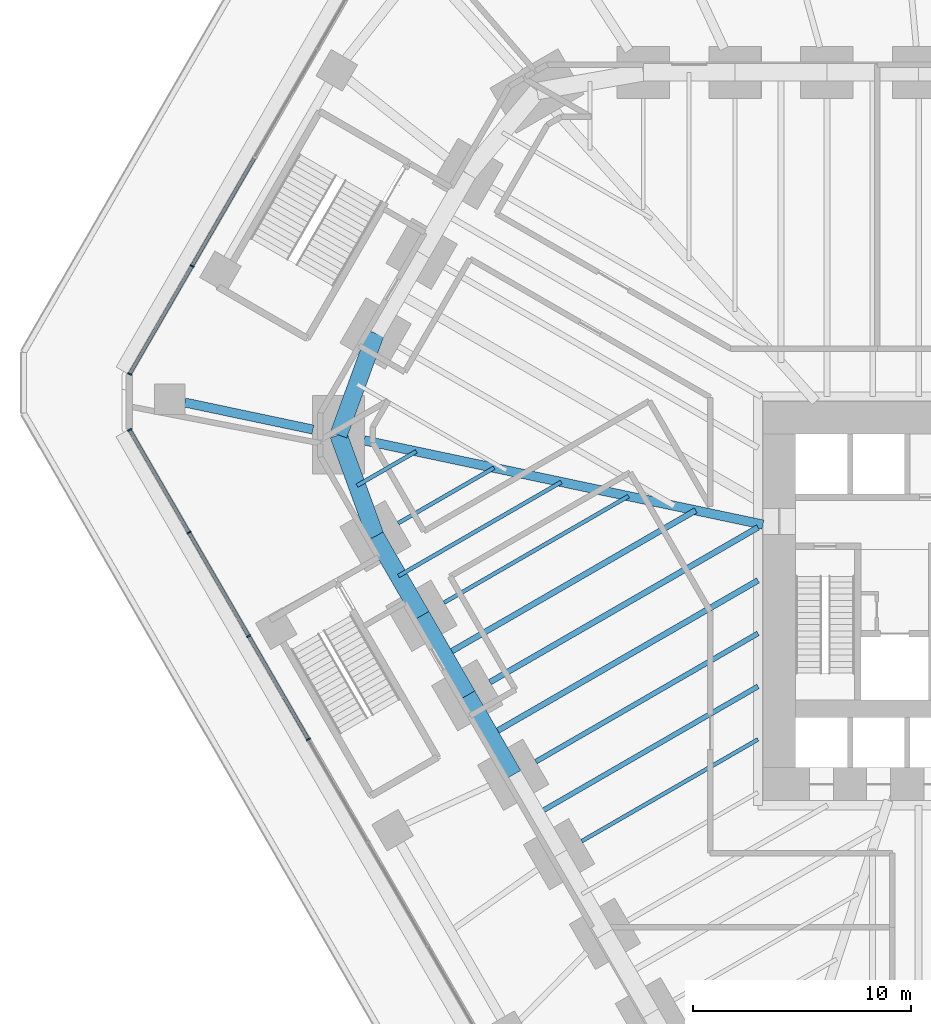
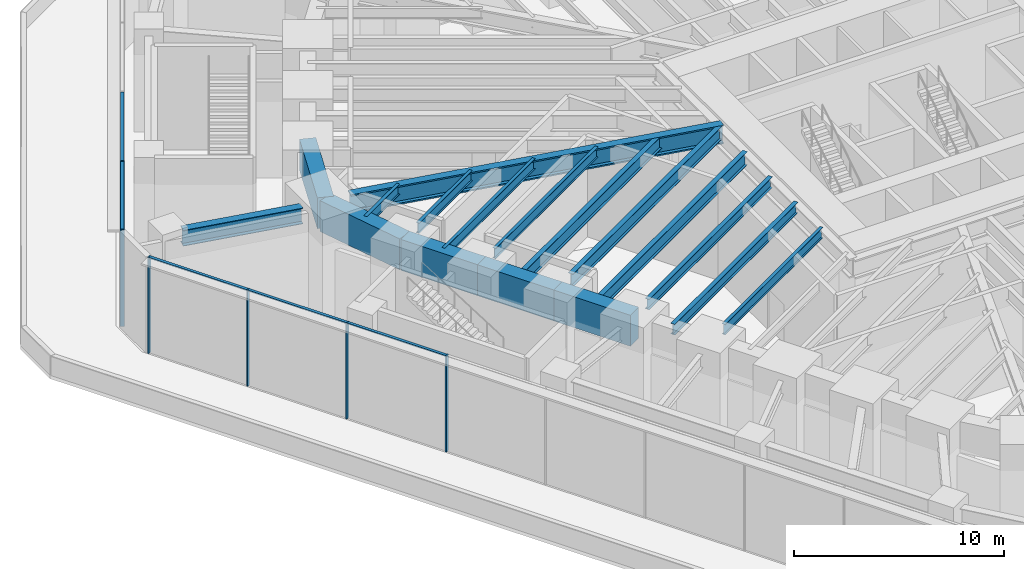
# One storey, part 5 of 24: 17 beams, 11 members, 2 elements without a shape of their own.
"""IFC4 building model written with IfcOpenShell, lengths in metres."""

from ifc_helpers import new_model, si_unit, direction, frame, origin, origin_2d, place, context, subcontext, project, spatial, rectangle, i_section, extrude, material, material_profile, profile_set, type_object, element, aggregate, save


model = new_model("IFC4")

# Units and contexts
model_context = context("Model", 3, precision=1e-05, world=origin(), true_north=direction((0.0, 1.0)))
body_context = subcontext(model_context, "Body", "Model", "MODEL_VIEW")
ifc_project = project(units=[si_unit("LENGTHUNIT", "METRE"), si_unit("AREAUNIT", "SQUARE_METRE"), si_unit("VOLUMEUNIT", "CUBIC_METRE"), si_unit("PLANEANGLEUNIT", "RADIAN"), si_unit("MASSUNIT", "GRAM", prefix="KILO")], contexts=[model_context])

# Site, building, storey
site_placement = place(None, origin())
site = spatial("IfcSite", under=ifc_project, at=site_placement, CompositionType="ELEMENT")
building_placement = place(site_placement, origin())
building = spatial("IfcBuilding", under=site, at=building_placement, Name="Sandreach Pilgrim Tower", CompositionType="ELEMENT")
storey_placement = place(building_placement, frame((0.0, 0.0, 12.0)))
storey = spatial("IfcBuildingStorey", under=building, at=storey_placement, Name="L02", CompositionType="ELEMENT", Elevation=12.0)

# Curtain wall, members
ifc_material_1 = material(Name="Aluminium framed curtain wall", Category="aluminium")
curtain_wall_type = type_object("IfcCurtainWallType", Name="Podium storefront curtain wall", PredefinedType="NOTDEFINED", material=ifc_material_1)
curtain_wall_1_placement = place(storey_placement, origin())
curtain_wall_1 = element("IfcCurtainWall", 1, at=curtain_wall_1_placement, inside=storey, type_object=curtain_wall_type, Name="CW-P L02 SW", PredefinedType="NOTDEFINED")
ifc_material_2 = material(Name="Aluminium extrusion", Category="aluminium")
ifc_material_profile_1 = material_profile(ifc_material_2, rectangle(XDim=0.070068359375, YDim=0.199951171875, at=origin_2d()), Name="CW-PM 70X200")
ifc_profile_set_1 = profile_set([ifc_material_profile_1], Name="Aluminium extrusion")
member_type_1 = type_object("IfcMemberType", Name="CW-P mullion", PredefinedType="MULLION", material=ifc_profile_set_1)
member_1_placement = place(storey_placement, frame((-30.095703125, -7.894287109375, 0.0), z_axis=(0.0, 0.0, 1.0), x_axis=(-0.5, 0.866025403784, 0.0)))
member_1 = element("IfcMember", 2, at=member_1_placement, type_object=member_type_1, Name="CW-P mullion 7", PredefinedType="MULLION", context=body_context, shape_type="SweptSolid", body=[
    extrude(rectangle(XDim=0.070068359375, YDim=0.199951171875, at=origin_2d()), origin(), (0.0, 0.0, 1.0), 5.60009765625),
])
member_2_placement = place(storey_placement, frame((-32.832763671875, -3.153564453125, 0.0), z_axis=(0.0, 0.0, 1.0), x_axis=(-0.5, 0.866025403784, 0.0)))
member_2 = element("IfcMember", 3, at=member_2_placement, type_object=member_type_1, Name="CW-P mullion 8", PredefinedType="MULLION", context=body_context, shape_type="SweptSolid", body=[
    extrude(rectangle(XDim=0.070068359375, YDim=0.199951171875, at=origin_2d()), origin(), (0.0, 0.0, 1.0), 5.60009765625),
])
member_3_placement = place(storey_placement, frame((-35.56982421875, 1.5869140625, 0.0), z_axis=(0.0, 0.0, 1.0), x_axis=(-0.5, 0.866025403784, 0.0)))
member_3 = element("IfcMember", 4, at=member_3_placement, type_object=member_type_1, Name="CW-P mullion 9", PredefinedType="MULLION", context=body_context, shape_type="SweptSolid", body=[
    extrude(rectangle(XDim=0.070068359375, YDim=0.199951171875, at=origin_2d()), origin(), (0.0, 0.0, 1.0), 5.60009765625),
])
member_4_placement = place(storey_placement, frame((-38.289306640625, 6.29736328125, 0.0), z_axis=(0.0, 0.0, 1.0), x_axis=(-0.5, 0.866025403784, 0.0)))
member_4 = element("IfcMember", 5, at=member_4_placement, type_object=member_type_1, Name="CW-P mullion 10", PredefinedType="MULLION", context=body_context, shape_type="SweptSolid", body=[
    extrude(rectangle(XDim=0.070068359375, YDim=0.199951171875, at=origin_2d()), origin(), (0.0, 0.0, 1.0), 5.60009765625),
])

curtain_wall_2_placement = place(storey_placement, origin())
curtain_wall_2 = element("IfcCurtainWall", 6, at=curtain_wall_2_placement, inside=storey, type_object=curtain_wall_type, Name="CW-P L02 NW", PredefinedType="NOTDEFINED")
member_5_placement = place(storey_placement, frame((-38.289306640625, 8.858154296875, 0.0), z_axis=(0.0, 0.0, 1.0), x_axis=(0.5, 0.866025403784, 0.0)))
member_5 = element("IfcMember", 7, at=member_5_placement, type_object=member_type_1, Name="CW-P mullion 1", PredefinedType="MULLION", context=body_context, shape_type="SweptSolid", body=[
    extrude(rectangle(XDim=0.070068359375, YDim=0.199951171875, at=origin_2d()), origin(), (0.0, 0.0, 1.0), 5.60009765625),
])
member_6_placement = place(storey_placement, frame((-35.4296875, 13.81103515625, 0.0), z_axis=(0.0, 0.0, 1.0), x_axis=(0.5, 0.866025403784, 0.0)))
member_6 = element("IfcMember", 8, at=member_6_placement, type_object=member_type_1, Name="CW-P mullion 2", PredefinedType="MULLION", context=body_context, shape_type="SweptSolid", body=[
    extrude(rectangle(XDim=0.070068359375, YDim=0.199951171875, at=origin_2d()), origin(), (0.0, 0.0, 1.0), 5.60009765625),
])

# Member
ifc_material_3 = material(Name="Aluminium extrusion", Category="aluminium")
ifc_material_profile_2 = material_profile(ifc_material_3, rectangle(XDim=0.159912109375, YDim=0.070068359375, at=origin_2d()), Name="CW-PT 160X70")
ifc_profile_set_2 = profile_set([ifc_material_profile_2], Name="Aluminium extrusion")
member_type_2 = type_object("IfcMemberType", Name="CW-P transom", PredefinedType="USERDEFINED", material=ifc_profile_set_2)
member_7_placement = place(storey_placement, frame((-30.11328125, -7.864013671875, 5.56494140625), z_axis=(-0.500026181004, 0.866010287647, 0.0), x_axis=(-0.866010287647, -0.500026181004, 0.0)))
member_7 = element("IfcMember", 9, at=member_7_placement, type_object=member_type_2, Name="CW-P head transom 7", ObjectType="TRANSOM", PredefinedType="USERDEFINED", context=body_context, shape_type="SweptSolid", body=[
    extrude(rectangle(XDim=0.159912109375, YDim=0.070068359375, at=origin_2d()), origin(), (0.0, 0.0, 1.0), 5.404052734375),
])

member_8_placement = place(storey_placement, frame((-32.850341796875, -3.123291015625, 5.56494140625), z_axis=(-0.499992297805, 0.866029850603, 0.0), x_axis=(-0.866029850603, -0.499992297805, 0.0)))
member_8 = element("IfcMember", 10, at=member_8_placement, type_object=member_type_2, Name="CW-P head transom 8", ObjectType="TRANSOM", PredefinedType="USERDEFINED", context=body_context, shape_type="SweptSolid", body=[
    extrude(rectangle(XDim=0.159912109375, YDim=0.070068359375, at=origin_2d()), origin(), (0.0, 0.0, 1.0), 5.40380859375),
])

member_9_placement = place(storey_placement, frame((-35.58740234375, 1.617431640625, 5.56494140625), z_axis=(-0.500012418066, 0.866018234092, 0.0), x_axis=(-0.866018234092, -0.500012418066, 0.0)))
member_9 = element("IfcMember", 11, at=member_9_placement, type_object=member_type_2, Name="CW-P head transom 9", ObjectType="TRANSOM", PredefinedType="USERDEFINED", context=body_context, shape_type="SweptSolid", body=[
    extrude(rectangle(XDim=0.159912109375, YDim=0.070068359375, at=origin_2d()), origin(), (0.0, 0.0, 1.0), 5.368896484375),
])

aggregate(curtain_wall_1, [member_1, member_2, member_3, member_4, member_7, member_8, member_9])

member_10_placement = place(storey_placement, frame((-38.27197265625, 8.888427734375, 5.56494140625), z_axis=(0.500015491618, 0.86601645951, 0.0), x_axis=(-0.86601645951, 0.500015491618, 0.0)))
member_10 = element("IfcMember", 12, at=member_10_placement, type_object=member_type_2, Name="CW-P head transom 1", ObjectType="TRANSOM", PredefinedType="USERDEFINED", context=body_context, shape_type="SweptSolid", body=[
    extrude(rectangle(XDim=0.159912109375, YDim=0.070068359375, at=origin_2d()), origin(), (0.0, 0.0, 1.0), 5.649169921875),
])

member_11_placement = place(storey_placement, frame((-35.412353515625, 13.84130859375, 5.56494140625), z_axis=(0.499996344484, 0.866027514288, 0.0), x_axis=(-0.866027514288, 0.499996344484, 0.0)))
member_11 = element("IfcMember", 13, at=member_11_placement, type_object=member_type_2, Name="CW-P head transom 2", ObjectType="TRANSOM", PredefinedType="USERDEFINED", context=body_context, shape_type="SweptSolid", body=[
    extrude(rectangle(XDim=0.159912109375, YDim=0.070068359375, at=origin_2d()), origin(), (0.0, 0.0, 1.0), 5.68408203125),
])

aggregate(curtain_wall_2, [member_5, member_6, member_10, member_11])

# Beams
ifc_material_4 = material(Name="Steel ASTM A992 Grade 50", Category="steel")
ifc_material_profile_3 = material_profile(ifc_material_4, i_section(OverallWidth=0.424072265625, OverallDepth=1.09228515625, WebThickness=0.04541015625, FlangeThickness=0.08203125, at=origin_2d()), Name="W40X593")
ifc_profile_set_3 = profile_set([ifc_material_profile_3], Name="Steel ASTM A992 Grade 50")
beam_type_1 = type_object("IfcBeamType", Name="Corner girder W40X593", PredefinedType="BEAM", material=ifc_profile_set_3)
beam_1_placement = place(storey_placement, frame((-27.53857421875, 5.814208984375, 5.2939453125), z_axis=(0.978429884383, -0.206579189045, 0.0), x_axis=(0.206579189045, 0.978429884383, 0.0)))
element("IfcBeam", 14, at=beam_1_placement, inside=storey, type_object=beam_type_1, Name="BM L02 CG35", PredefinedType="BEAM", context=body_context, shape_type="SweptSolid", body=[
    extrude(i_section(OverallWidth=0.424072265625, OverallDepth=1.09228515625, WebThickness=0.04541015625, FlangeThickness=0.08203125, at=origin_2d()), origin(), (0.0, 0.0, 1.0), 18.691650390625),
])
ifc_material_5 = material(Name="Steel ASTM A992 Grade 50", Category="steel")
ifc_material_profile_4 = material_profile(ifc_material_5, i_section(OverallWidth=0.1787109375, OverallDepth=0.60205078125, WebThickness=0.010986328125, FlangeThickness=0.014892578125, at=origin_2d()), Name="W24X62")
ifc_profile_set_4 = profile_set([ifc_material_profile_4], Name="Steel ASTM A992 Grade 50")
beam_type_2 = type_object("IfcBeamType", Name="Floor beam W24X62", PredefinedType="BEAM", material=ifc_profile_set_4)
beam_2_placement = place(storey_placement, frame((-17.557373046875, -12.5673828125, 5.5390625), z_axis=(0.866026636512, 0.499997864846, 0.0), x_axis=(-0.499997864846, 0.866026636512, 0.0)))
element("IfcBeam", 15, at=beam_2_placement, inside=storey, type_object=beam_type_2, Name="BM L02 F30", PredefinedType="BEAM", context=body_context, shape_type="SweptSolid", body=[
    extrude(i_section(OverallWidth=0.1787109375, OverallDepth=0.60205078125, WebThickness=0.010986328125, FlangeThickness=0.014892578125, at=origin_2d()), origin(), (0.0, 0.0, 1.0), 9.3359375),
])
beam_3_placement = place(storey_placement, frame((-23.8720703125, -1.629638671875, 5.5390625), z_axis=(0.866025751498, 0.499999397742, 0.0), x_axis=(-0.499999397742, 0.866025751498, 0.0)))
element("IfcBeam", 16, at=beam_3_placement, inside=storey, type_object=beam_type_2, Name="BM L02 F33", PredefinedType="BEAM", context=body_context, shape_type="SweptSolid", body=[
    extrude(i_section(OverallWidth=0.1787109375, OverallDepth=0.60205078125, WebThickness=0.010986328125, FlangeThickness=0.014892578125, at=origin_2d()), origin(), (0.0, 0.0, 1.0), 9.767578125),
])
beam_4_placement = place(storey_placement, frame((-25.97705078125, 2.016357421875, 5.5390625), z_axis=(0.866027897259, 0.49999568115, 0.0), x_axis=(-0.49999568115, 0.866027897259, 0.0)))
element("IfcBeam", 17, at=beam_4_placement, inside=storey, type_object=beam_type_2, Name="BM L02 F34", PredefinedType="BEAM", context=body_context, shape_type="SweptSolid", body=[
    extrude(i_section(OverallWidth=0.1787109375, OverallDepth=0.60205078125, WebThickness=0.010986328125, FlangeThickness=0.014892578125, at=origin_2d()), origin(), (0.0, 0.0, 1.0), 5.0791015625),
])
beam_5_placement = place(storey_placement, frame((-25.9638671875, -0.40673828125, 5.5390625), z_axis=(0.866020100198, 0.500009185969, 0.0), x_axis=(-0.500009185969, 0.866020100198, 0.0)))
element("IfcBeam", 18, at=beam_5_placement, inside=storey, type_object=beam_type_2, Name="BM L02 FM33", PredefinedType="BEAM", context=body_context, shape_type="SweptSolid", body=[
    extrude(i_section(OverallWidth=0.1787109375, OverallDepth=0.60205078125, WebThickness=0.010986328125, FlangeThickness=0.014892578125, at=origin_2d()), origin(), (0.0, 0.0, 1.0), 8.623291015625),
])
beam_6_placement = place(storey_placement, frame((-27.864501953125, 3.7392578125, 5.5390625), z_axis=(0.866023718453, 0.500002919068, 0.0), x_axis=(-0.500002919068, 0.866023718453, 0.0)))
element("IfcBeam", 19, at=beam_6_placement, inside=storey, type_object=beam_type_2, Name="BM L02 FM34", PredefinedType="BEAM", context=body_context, shape_type="SweptSolid", body=[
    extrude(i_section(OverallWidth=0.1787109375, OverallDepth=0.60205078125, WebThickness=0.010986328125, FlangeThickness=0.014892578125, at=origin_2d()), origin(), (0.0, 0.0, 1.0), 3.1396484375),
])
ifc_material_6 = material(Name="Steel ASTM A992 Grade 50", Category="steel")
ifc_material_profile_5 = material_profile(ifc_material_6, i_section(OverallWidth=0.23046875, OverallDepth=0.6171875, WebThickness=0.01318359375, FlangeThickness=0.022216796875, at=origin_2d()), Name="W24X94")
ifc_profile_set_5 = profile_set([ifc_material_profile_5], Name="Steel ASTM A992 Grade 50")
beam_type_3 = type_object("IfcBeamType", Name="Floor beam W24X94", PredefinedType="BEAM", material=ifc_profile_set_5)
beam_7_placement = place(storey_placement, frame((-19.662353515625, -8.92138671875, 5.531494140625), z_axis=(0.866025609399, 0.499999643865, 0.0), x_axis=(-0.499999643865, 0.866025609399, 0.0)))
element("IfcBeam", 20, at=beam_7_placement, inside=storey, type_object=beam_type_3, Name="BM L02 F31", PredefinedType="BEAM", context=body_context, shape_type="SweptSolid", body=[
    extrude(i_section(OverallWidth=0.23046875, OverallDepth=0.6171875, WebThickness=0.01318359375, FlangeThickness=0.022216796875, at=origin_2d()), origin(), (0.0, 0.0, 1.0), 11.7666015625),
])
beam_8_placement = place(storey_placement, frame((-19.64892578125, -11.34423828125, 5.531494140625), z_axis=(0.866027820364, 0.499995814338, 0.0), x_axis=(-0.499995814338, 0.866027820364, 0.0)))
element("IfcBeam", 21, at=beam_8_placement, inside=storey, type_object=beam_type_3, Name="BM L02 FM30", PredefinedType="BEAM", context=body_context, shape_type="SweptSolid", body=[
    extrude(i_section(OverallWidth=0.23046875, OverallDepth=0.6171875, WebThickness=0.01318359375, FlangeThickness=0.022216796875, at=origin_2d()), origin(), (0.0, 0.0, 1.0), 11.7509765625),
])
ifc_material_7 = material(Name="Steel ASTM A992 Grade 50", Category="steel")
ifc_material_profile_6 = material_profile(ifc_material_7, i_section(OverallWidth=0.2666015625, OverallDepth=0.761962890625, WebThickness=0.014404296875, FlangeThickness=0.021484375, at=origin_2d()), Name="W30X116")
ifc_profile_set_6 = profile_set([ifc_material_profile_6], Name="Steel ASTM A992 Grade 50")
beam_type_4 = type_object("IfcBeamType", Name="Floor beam W30X116", PredefinedType="BEAM", material=ifc_profile_set_6)
beam_9_placement = place(storey_placement, frame((-21.76708984375, -5.275390625, 5.458984375), z_axis=(0.866028081176, 0.499995362593, 0.0), x_axis=(-0.499995362593, 0.866028081176, 0.0)))
element("IfcBeam", 22, at=beam_9_placement, inside=storey, type_object=beam_type_4, Name="BM L02 F32", PredefinedType="BEAM", context=body_context, shape_type="SweptSolid", body=[
    extrude(i_section(OverallWidth=0.2666015625, OverallDepth=0.761962890625, WebThickness=0.014404296875, FlangeThickness=0.021484375, at=origin_2d()), origin(), (0.0, 0.0, 1.0), 14.197021484375),
])
beam_10_placement = place(storey_placement, frame((-21.75390625, -7.698486328125, 5.458984375), z_axis=(0.866019310865, 0.500010553097, 0.0), x_axis=(-0.500010553097, 0.866019310865, 0.0)))
element("IfcBeam", 23, at=beam_10_placement, inside=storey, type_object=beam_type_4, Name="BM L02 FM31", PredefinedType="BEAM", context=body_context, shape_type="SweptSolid", body=[
    extrude(i_section(OverallWidth=0.2666015625, OverallDepth=0.761962890625, WebThickness=0.014404296875, FlangeThickness=0.021484375, at=origin_2d()), origin(), (0.0, 0.0, 1.0), 14.181884765625),
])
beam_11_placement = place(storey_placement, frame((-23.85888671875, -4.052490234375, 5.458984375), z_axis=(0.866029213426, 0.499993401449, 0.0), x_axis=(-0.499993401449, 0.866029213426, 0.0)))
element("IfcBeam", 24, at=beam_11_placement, inside=storey, type_object=beam_type_4, Name="BM L02 FM32", PredefinedType="BEAM", context=body_context, shape_type="SweptSolid", body=[
    extrude(i_section(OverallWidth=0.2666015625, OverallDepth=0.761962890625, WebThickness=0.014404296875, FlangeThickness=0.021484375, at=origin_2d()), origin(), (0.0, 0.0, 1.0), 13.311767578125),
])
ifc_material_8 = material(Name="Steel ASTM A992 Grade 50", Category="steel")
ifc_material_profile_7 = material_profile(ifc_material_8, i_section(OverallWidth=0.419189453125, OverallDepth=0.927001953125, WebThickness=0.019287109375, FlangeThickness=0.031982421875, at=origin_2d()), Name="W36X231")
ifc_profile_set_7 = profile_set([ifc_material_profile_7], Name="Steel ASTM A992 Grade 50")
beam_type_5 = type_object("IfcBeamType", Name="Podium beam W36X231", PredefinedType="BEAM", material=ifc_profile_set_7)
beam_12_placement = place(storey_placement, frame((-29.88671875, 6.31005859375, 5.136474609375), z_axis=(-0.978427888688, 0.206588641113, 0.0), x_axis=(-0.206588641113, -0.978427888688, 0.0)))
element("IfcBeam", 25, at=beam_12_placement, inside=storey, type_object=beam_type_5, Name="BM L02 PR125-35", PredefinedType="BEAM", context=body_context, shape_type="SweptSolid", body=[
    extrude(i_section(OverallWidth=0.419189453125, OverallDepth=0.927001953125, WebThickness=0.019287109375, FlangeThickness=0.031982421875, at=origin_2d()), origin(), (0.0, 0.0, 1.0), 6.0009765625),
])
ifc_material_9 = material(Name="Concrete 10000 psi", Category="concrete")
ifc_material_profile_8 = material_profile(ifc_material_9, rectangle(XDim=0.800048828125, YDim=1.800048828125, at=origin_2d()), Name="RC800X1800")
ifc_profile_set_8 = profile_set([ifc_material_profile_8], Name="Concrete 10000 psi")
beam_type_6 = type_object("IfcBeamType", Name="Spandrel beam RC800X1800", PredefinedType="SPANDREL", material=ifc_profile_set_8)
beam_13_placement = place(storey_placement, frame((-20.701416015625, -9.521484375, 4.93994140625), z_axis=(-0.499993523031, 0.866029143232, 0.0), x_axis=(-0.866029143232, -0.499993523031, 0.0)))
element("IfcBeam", 26, at=beam_13_placement, inside=storey, type_object=beam_type_6, Name="BM L02 SP31", PredefinedType="SPANDREL", context=body_context, shape_type="SweptSolid", body=[
    extrude(rectangle(XDim=0.800048828125, YDim=1.800048828125, at=origin_2d()), origin(), (0.0, 0.0, 1.0), 4.2099609375),
])
beam_14_placement = place(storey_placement, frame((-22.806396484375, -5.87548828125, 4.93994140625), z_axis=(-0.50001863446, 0.866014644907, 0.0), x_axis=(-0.866014644907, -0.50001863446, 0.0)))
element("IfcBeam", 27, at=beam_14_placement, inside=storey, type_object=beam_type_6, Name="BM L02 SP32", PredefinedType="SPANDREL", context=body_context, shape_type="SweptSolid", body=[
    extrude(rectangle(XDim=0.800048828125, YDim=1.800048828125, at=origin_2d()), origin(), (0.0, 0.0, 1.0), 4.209716796875),
])
beam_15_placement = place(storey_placement, frame((-24.911376953125, -2.229736328125, 4.93994140625), z_axis=(-0.499993523031, 0.866029143232, 0.0), x_axis=(-0.866029143232, -0.499993523031, 0.0)))
element("IfcBeam", 28, at=beam_15_placement, inside=storey, type_object=beam_type_6, Name="BM L02 SP33", PredefinedType="SPANDREL", context=body_context, shape_type="SweptSolid", body=[
    extrude(rectangle(XDim=0.800048828125, YDim=1.800048828125, at=origin_2d()), origin(), (0.0, 0.0, 1.0), 4.2099609375),
])
beam_16_placement = place(storey_placement, frame((-27.016357421875, 1.416259765625, 4.93994140625), z_axis=(-0.342963480301, 0.939348737786, 0.0), x_axis=(-0.939348737786, -0.342963480301, 0.0)))
element("IfcBeam", 29, at=beam_16_placement, inside=storey, type_object=beam_type_6, Name="BM L02 SP34", PredefinedType="SPANDREL", context=body_context, shape_type="SweptSolid", body=[
    extrude(rectangle(XDim=0.800048828125, YDim=1.800048828125, at=origin_2d()), origin(), (0.0, 0.0, 1.0), 4.946044921875),
])
beam_17_placement = place(storey_placement, frame((-28.712646484375, 6.062255859375, 4.93994140625), z_axis=(0.343367552823, 0.939201109278, 0.0), x_axis=(-0.939201109278, 0.343367552823, 0.0)))
element("IfcBeam", 30, at=beam_17_placement, inside=storey, type_object=beam_type_6, Name="BM L02 SP35", PredefinedType="SPANDREL", context=body_context, shape_type="SweptSolid", body=[
    extrude(rectangle(XDim=0.800048828125, YDim=1.800048828125, at=origin_2d()), origin(), (0.0, 0.0, 1.0), 4.9580078125),
])

save(model, "model.ifc")
